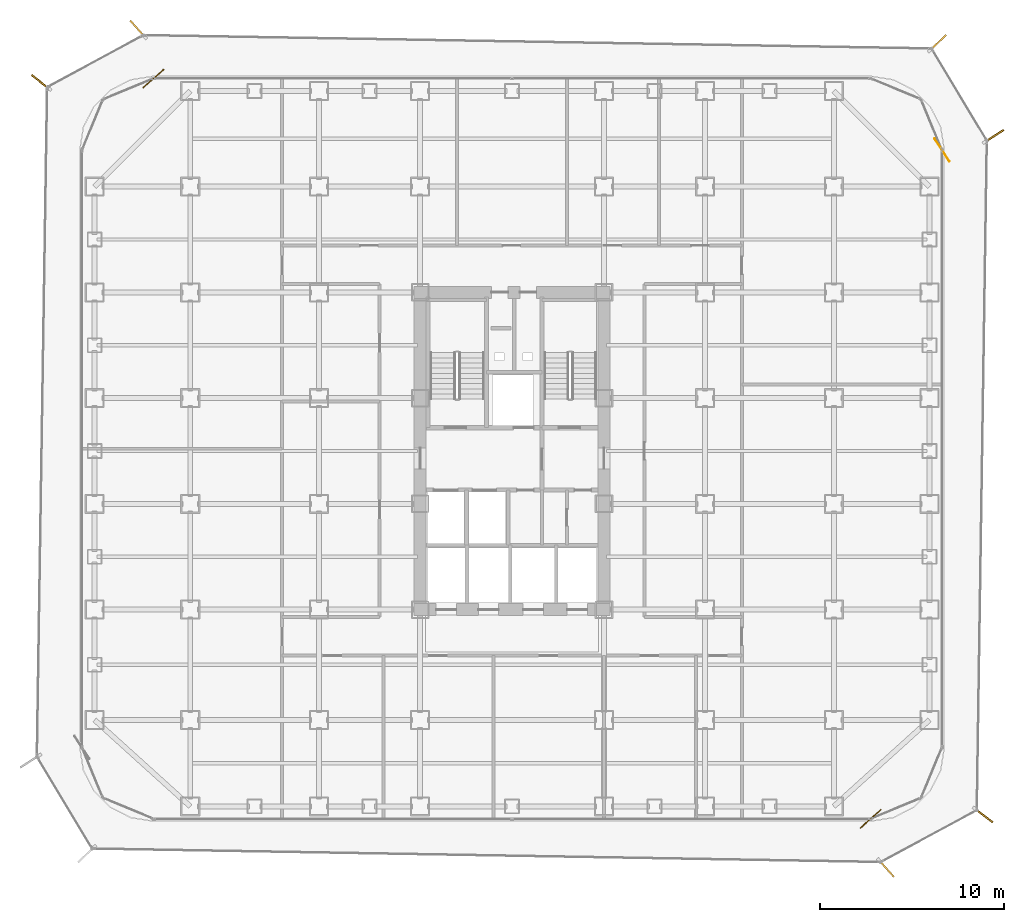
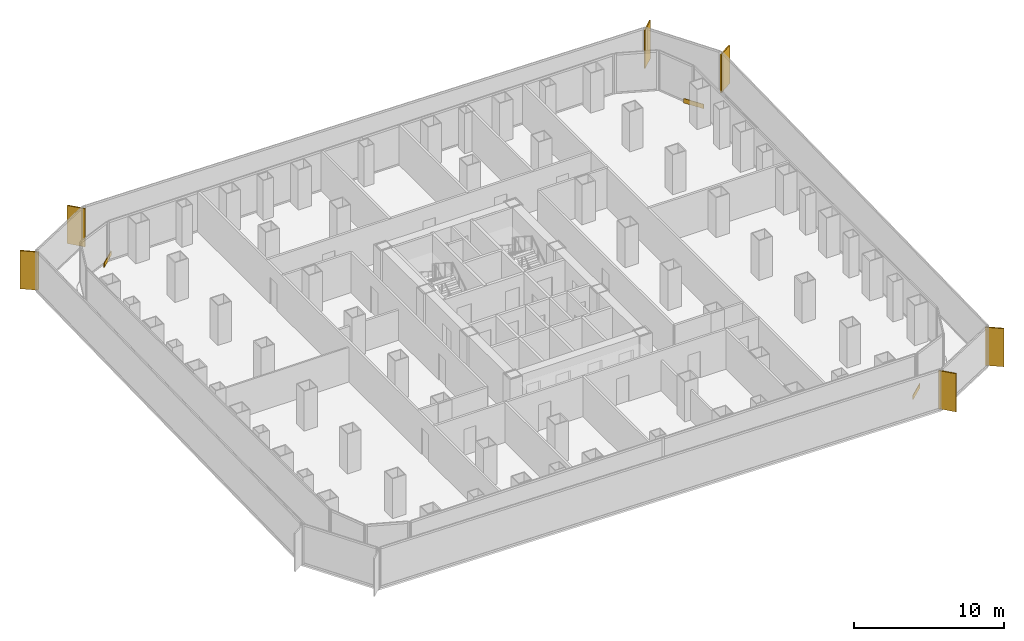
# One storey, part 22 of 22: 6 shading devices, 3 coverings.
"""IFC4 building model written with IfcOpenShell, lengths in metres."""

from ifc_helpers import new_model, si_unit, direction, frame, origin, origin_2d, place, context, subcontext, project, spatial, rectangle, extrude, source, transform, mapped, material, layer, layer_set, type_object, element, save


model = new_model("IFC4")

# Units and contexts
model_context = context("Model", 3, precision=1e-05, world=origin(), true_north=direction((0.0, 1.0)))
body_context = subcontext(model_context, "Body", "Model", "MODEL_VIEW")
ifc_project = project(units=[si_unit("LENGTHUNIT", "METRE"), si_unit("AREAUNIT", "SQUARE_METRE"), si_unit("VOLUMEUNIT", "CUBIC_METRE"), si_unit("PLANEANGLEUNIT", "RADIAN"), si_unit("MASSUNIT", "GRAM", prefix="KILO")], contexts=[model_context])

# Site, building, storey
site_placement = place(None, origin())
site = spatial("IfcSite", under=ifc_project, at=site_placement, CompositionType="ELEMENT")
building_placement = place(site_placement, origin())
building = spatial("IfcBuilding", under=site, at=building_placement, Name="Kolveth Station Tower", CompositionType="ELEMENT")
storey_placement = place(building_placement, frame((0.0, 0.0, 72.89990234375)))
storey = spatial("IfcBuildingStorey", under=building, at=storey_placement, Name="L19", CompositionType="ELEMENT", Elevation=72.89990234375)

# Shading devices
ifc_material_1 = material(Name="Black anodized aluminium 6063-T6", Category="aluminium")
shading_device_type = type_object("IfcShadingDeviceType", Name="FIN_VF1", PredefinedType="USERDEFINED", material=ifc_material_1)
shared_shape_1 = source(origin(), body_context, "Body", "SweptSolid", [
    extrude(rectangle(XDim=1.25, YDim=0.090087890625, at=origin_2d()), origin(), (0.0, 0.0, 1.0), 3.10009765625),
])
for number, where, z_axis, x_axis, name in (
    (1, (43.84912109375, -2.569091796875, 0.0), (0.0, 0.0, 1.0), (0.665621202286, -0.746289766155, 0.0), "L19 Dark-Aluminium Solar Fin 1"),
    (2, (49.136962890625, 0.31494140625, 0.0), (0.0, 0.0, 1.0), (0.789405615633, -0.613871952452, 0.0), "L19 Dark-Aluminium Solar Fin 2"),
    (3, (49.7041015625, 37.24609375, 0.0), (0.0, 0.0, 1.0), (0.838955625301, 0.544199833495, 0.0), "L19 Dark-Aluminium Solar Fin 3"),
    (4, (46.65087890625, 42.31591796875, 0.0), (0.0, 0.0, 1.0), (0.723810678237, 0.689998624687, 0.0), "L19 Dark-Aluminium Solar Fin 4"),
    (5, (3.15087890625, 43.06689453125, 0.0), (0.0, 0.0, 1.0), (-0.665621202286, 0.746289766155, 0.0), "L19 Dark-Aluminium Solar Fin 5"),
    (6, (-2.1298828125, 40.181884765625, 0.0), (0.0, 0.0, 1.0), (-0.789405615633, 0.613871952452, 0.0), "L19 Dark-Aluminium Solar Fin 6"),
):
    element("IfcShadingDevice", number, at=place(storey_placement, frame(where, z_axis=z_axis, x_axis=x_axis)), inside=storey, type_object=shading_device_type, Name=name, ObjectType="FIN", PredefinedType="USERDEFINED", context=body_context, shape_type="MappedRepresentation", body=[
        mapped(shared_shape_1, transform((0.0, 0.0, 0.0), x_axis=(1.0, 0.0, 0.0), y_axis=(0.0, 1.0, 0.0), z_axis=(0.0, 0.0, 1.0), scale=1.0)),
    ])

# Coverings
ifc_material_2 = material(Name="Charcoal anodized aluminium spandrel cladding", Category="aluminium")
ifc_layer = layer(ifc_material_2, 0.044921875)
ifc_layer_set = layer_set([ifc_layer], Name="Charcoal anodized aluminium spandrel cladding")
covering_type = type_object("IfcCoveringType", Name="Clad_CD1", PredefinedType="CLADDING", material=ifc_layer_set)
shared_shape_2 = source(origin(), body_context, "Body", "SweptSolid", [
    extrude(rectangle(XDim=1.5, YDim=0.044921875, at=origin_2d()), origin(), (0.0, 0.0, 1.0), 0.360107421875),
])
for number, where, z_axis, x_axis, name in (
    (7, (43.0, 0.1201171875, 0.0), (0.0, 0.0, 1.0), (0.746289766155, 0.665621202286, 0.0), "L19 Spandrel Edge Cladding 1"),
    (8, (46.8798828125, 36.5, 0.0), (0.0, 0.0, 1.0), (-0.544199833495, 0.838955625301, 0.0), "L19 Spandrel Edge Cladding 3"),
    (9, (4.0, 40.3798828125, 0.0), (0.0, 0.0, 1.0), (-0.746289766155, -0.665621202286, 0.0), "L19 Spandrel Edge Cladding 5"),
):
    element("IfcCovering", number, at=place(storey_placement, frame(where, z_axis=z_axis, x_axis=x_axis)), inside=storey, type_object=covering_type, Name=name, PredefinedType="CLADDING", context=body_context, shape_type="MappedRepresentation", body=[
        mapped(shared_shape_2, transform((0.0, 0.0, 0.0), x_axis=(1.0, 0.0, 0.0), y_axis=(0.0, 1.0, 0.0), z_axis=(0.0, 0.0, 1.0), scale=1.0)),
    ])

save(model, "model.ifc")
